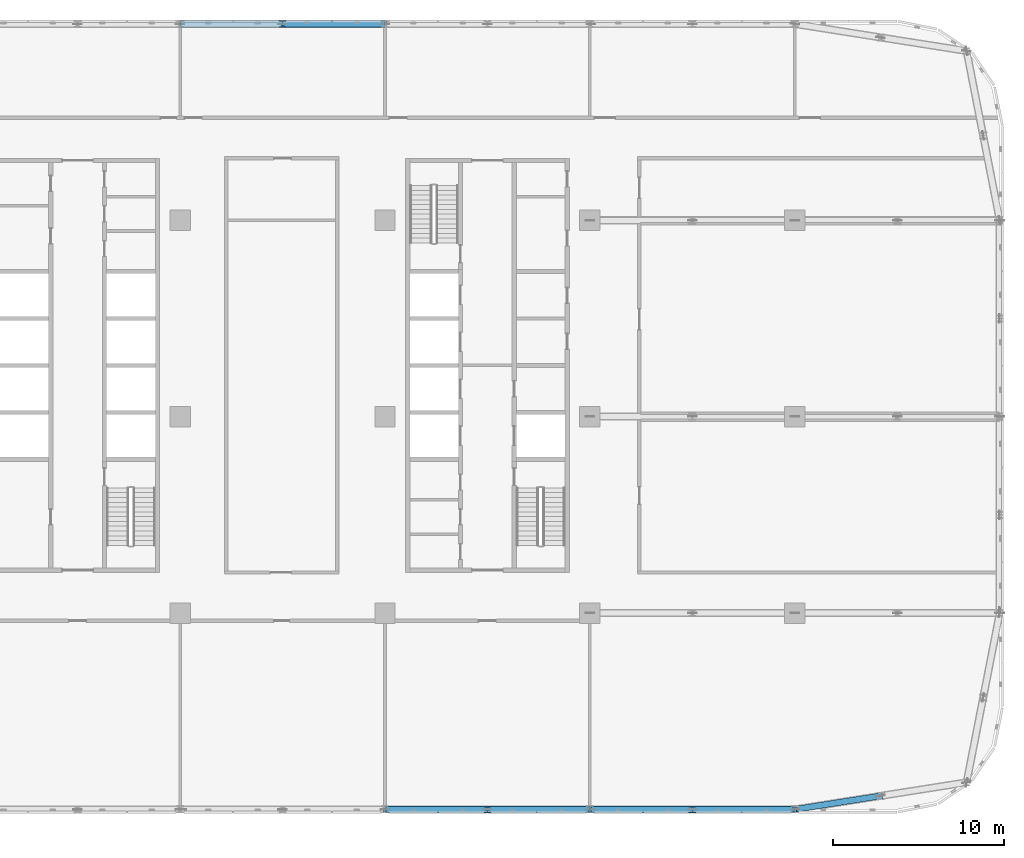
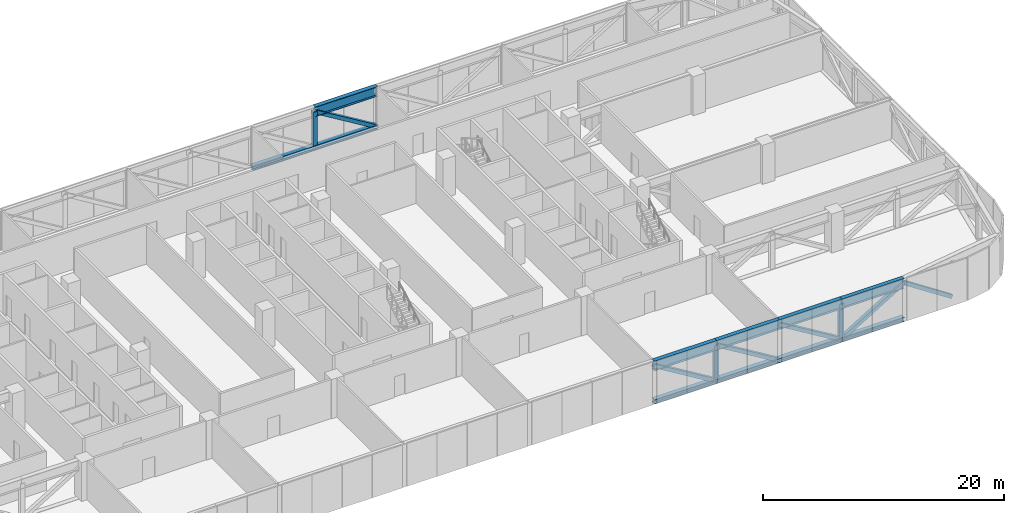
# One storey, part 6 of 26: 17 members.
"""IFC4 building model written with IfcOpenShell, lengths in metres."""

from ifc_helpers import new_model, si_unit, direction, frame, origin, origin_2d, place, context, subcontext, project, spatial, hollow_rectangle, i_section, extrude, material, material_profile, profile_set, type_object, element, save


model = new_model("IFC4")

# Units and contexts
model_context = context("Model", 3, precision=1e-05, world=origin(), true_north=direction((0.0, 1.0)))
body_context = subcontext(model_context, "Body", "Model", "MODEL_VIEW")
ifc_project = project(units=[si_unit("LENGTHUNIT", "METRE"), si_unit("AREAUNIT", "SQUARE_METRE"), si_unit("VOLUMEUNIT", "CUBIC_METRE"), si_unit("PLANEANGLEUNIT", "RADIAN"), si_unit("MASSUNIT", "GRAM", prefix="KILO")], contexts=[model_context])

# Site, building, storey
site_placement = place(None, origin())
site = spatial("IfcSite", under=ifc_project, at=site_placement, CompositionType="ELEMENT")
building_placement = place(site_placement, origin())
building = spatial("IfcBuilding", under=site, at=building_placement, Name="Mahtab Terrace Research Tower", CompositionType="ELEMENT")
storey_placement = place(building_placement, frame((0.0, 0.0, 189.60009765625)))
storey = spatial("IfcBuildingStorey", under=building, at=storey_placement, Name="L45", CompositionType="ELEMENT", Elevation=189.60009765625)

# Members
ifc_material_1 = material(Name="Steel ASTM A500 Gr C", Category="steel")
ifc_material_profile_1 = material_profile(ifc_material_1, hollow_rectangle(XDim=0.355712890625, YDim=0.355712890625, WallThickness=0.015869140625, at=origin_2d()), Name="HSS14X14X5/8")
ifc_profile_set_1 = profile_set([ifc_material_profile_1], Name="Steel ASTM A500 Gr C")
member_type_1 = type_object("IfcMemberType", Name="HSS 14x14x5/8 brace TD141458", PredefinedType="BRACE", material=ifc_profile_set_1)
for number, where, z_axis, x_axis, name in (
    (1, (24.0, -23.0, -0.177734375), (-0.855144546512, 0.0, 0.518389626218), (0.0, -1.0, 0.0), "Transfer truss T5 diagonal 048"),
    (2, (18.0, 23.0, -0.177734375), (-0.855144546512, 0.0, 0.518389626218), (0.0, -1.0, 0.0), "Transfer truss T5 diagonal 049"),
    (3, (30.0, -23.0, -0.177734375), (-0.855144546512, 0.0, 0.518389626218), (0.0, -1.0, 0.0), "Transfer truss T5 diagonal 050"),
    (4, (36.0, -23.0, -0.177734375), (-0.855144546512, 0.0, 0.518389626218), (0.0, -1.0, 0.0), "Transfer truss T5 diagonal 052"),
    (5, (36.0, -23.0, -0.177734375), (0.855144546512, 0.0, 0.518389626218), (0.0, 1.0, 0.0), "Transfer truss T5 diagonal 057"),
):
    element("IfcMember", number, at=place(storey_placement, frame(where, z_axis=z_axis, x_axis=x_axis)), inside=storey, type_object=member_type_1, Name=name, PredefinedType="BRACE", context=body_context, shape_type="SweptSolid", body=[
        extrude(hollow_rectangle(XDim=0.355712890625, YDim=0.355712890625, WallThickness=0.015869140625, at=origin_2d()), origin(), (0.0, 0.0, 1.0), 7.016357421875),
    ])
member_placement = place(storey_placement, frame((47.031005859375, -22.2080078125, -0.177734375), z_axis=(-0.803880768262, -0.126548707344, 0.581172207773), x_axis=(0.155507156777, -0.987834765632, 0.0)))
element("IfcMember", 6, at=member_placement, inside=storey, type_object=member_type_1, Name="Transfer truss T5 diagonal 062", PredefinedType="BRACE", context=body_context, shape_type="SweptSolid", body=[
    extrude(hollow_rectangle(XDim=0.355712890625, YDim=0.355712890625, WallThickness=0.015869140625, at=origin_2d()), origin(), (0.0, 0.0, 1.0), 6.25830078125),
])
ifc_material_2 = material(Name="Steel ASTM A992 Gr 50", Category="steel")
ifc_material_profile_2 = material_profile(ifc_material_2, i_section(OverallWidth=0.396240234375, OverallDepth=0.381103515625, WebThickness=0.018798828125, FlangeThickness=0.0302734375, at=origin_2d()), Name="W14X159")
ifc_profile_set_2 = profile_set([ifc_material_profile_2], Name="Steel ASTM A992 Gr 50")
member_type_2 = type_object("IfcMemberType", Name="W14x159 post TP14159", PredefinedType="POST", material=ifc_profile_set_2)
for number, where, z_axis, x_axis, name in (
    (7, (12.0, 23.0, -0.177734375), (0.0, 0.0, 1.0), (1.0, 0.0, 0.0), "Transfer truss T5 post 044"),
    (8, (24.0, -23.0, -0.177734375), (0.0, 0.0, 1.0), (1.0, 0.0, 0.0), "Transfer truss T5 post 047"),
    (9, (36.0, -23.0, -0.177734375), (0.0, 0.0, 1.0), (1.0, 0.0, 0.0), "Transfer truss T5 post 054"),
):
    element("IfcMember", number, at=place(storey_placement, frame(where, z_axis=z_axis, x_axis=x_axis)), inside=storey, type_object=member_type_2, Name=name, PredefinedType="POST", context=body_context, shape_type="SweptSolid", body=[
        extrude(i_section(OverallWidth=0.396240234375, OverallDepth=0.381103515625, WebThickness=0.018798828125, FlangeThickness=0.0302734375, at=origin_2d()), origin(), (0.0, 0.0, 1.0), 3.63720703125),
    ])
ifc_material_profile_3 = material_profile(ifc_material_2, i_section(OverallWidth=0.41650390625, OverallDepth=0.444580078125, WebThickness=0.0390625, FlangeThickness=0.062744140625, at=origin_2d()), Name="W14X342")
ifc_profile_set_3 = profile_set([ifc_material_profile_3], Name="Steel ASTM A992 Gr 50")
member_type_3 = type_object("IfcMemberType", Name="W14x342 chord TC14342", PredefinedType="CHORD", material=ifc_profile_set_3)
for number, where, z_axis, x_axis, name in (
    (10, (18.0, -23.0, -0.177734375), (1.0, 0.0, 0.0), (0.0, 1.0, 0.0), "Transfer truss T5 bottom chord 024"),
    (11, (30.0, -23.0, -0.177734375), (1.0, 0.0, 0.0), (0.0, 1.0, 0.0), "Transfer truss T5 bottom chord 025"),
    (12, (18.0, 23.0, -0.177734375), (-1.0, 0.0, 0.0), (0.0, -1.0, 0.0), "Transfer truss T5 bottom chord 028"),
):
    element("IfcMember", number, at=place(storey_placement, frame(where, z_axis=z_axis, x_axis=x_axis)), inside=storey, type_object=member_type_3, Name=name, PredefinedType="CHORD", context=body_context, shape_type="SweptSolid", body=[
        extrude(i_section(OverallWidth=0.41650390625, OverallDepth=0.444580078125, WebThickness=0.0390625, FlangeThickness=0.062744140625, at=origin_2d()), origin(), (0.0, 0.0, 1.0), 12.0),
    ])
ifc_material_profile_4 = material_profile(ifc_material_2, i_section(OverallWidth=0.4013671875, OverallDepth=1.000732421875, WebThickness=0.01904296875, FlangeThickness=0.0361328125, at=origin_2d()), Name="W40X249")
ifc_profile_set_4 = profile_set([ifc_material_profile_4], Name="Steel ASTM A992 Gr 50")
member_type_4 = type_object("IfcMemberType", Name="W40x249 chord TT40249", PredefinedType="CHORD", material=ifc_profile_set_4)
for number, where, z_axis, x_axis, name in (
    (13, (18.0, -23.0, 3.45947265625), (1.0, 0.0, 0.0), (0.0, 1.0, 0.0), "Transfer truss T5 top chord 031"),
    (14, (24.0, -23.0, 3.45947265625), (1.0, 0.0, 0.0), (0.0, 1.0, 0.0), "Transfer truss T5 top chord 032"),
    (15, (30.0, -23.0, 3.45947265625), (1.0, 0.0, 0.0), (0.0, 1.0, 0.0), "Transfer truss T5 top chord 033"),
    (16, (36.0, -23.0, 3.45947265625), (1.0, 0.0, 0.0), (0.0, 1.0, 0.0), "Transfer truss T5 top chord 034"),
    (17, (18.0, 23.0, 3.45947265625), (-1.0, 0.0, 0.0), (0.0, -1.0, 0.0), "Transfer truss T5 top chord 039"),
):
    element("IfcMember", number, at=place(storey_placement, frame(where, z_axis=z_axis, x_axis=x_axis)), inside=storey, type_object=member_type_4, Name=name, PredefinedType="CHORD", context=body_context, shape_type="SweptSolid", body=[
        extrude(i_section(OverallWidth=0.4013671875, OverallDepth=1.000732421875, WebThickness=0.01904296875, FlangeThickness=0.0361328125, at=origin_2d()), origin(), (0.0, 0.0, 1.0), 6.0),
    ])

save(model, "model.ifc")
